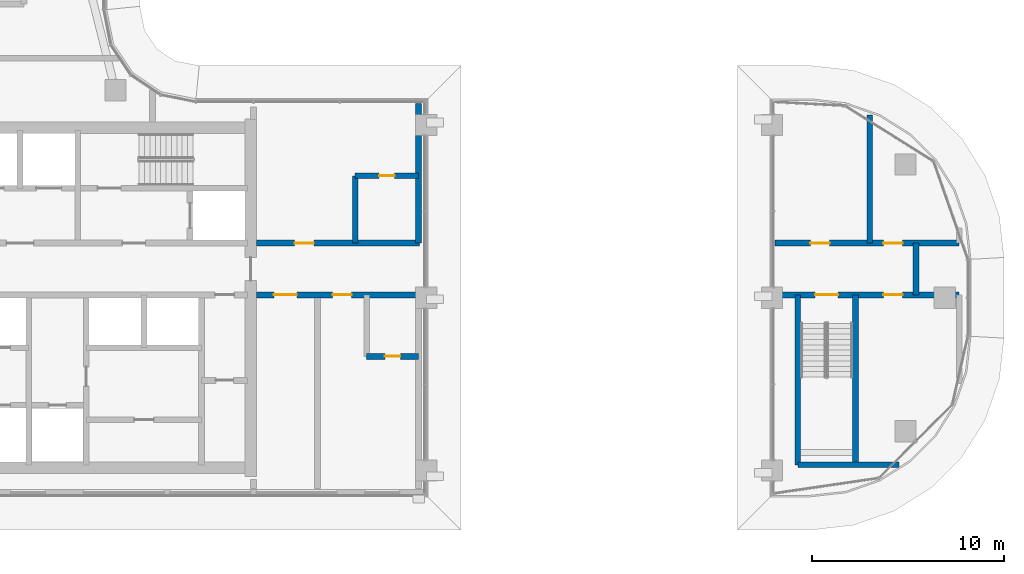
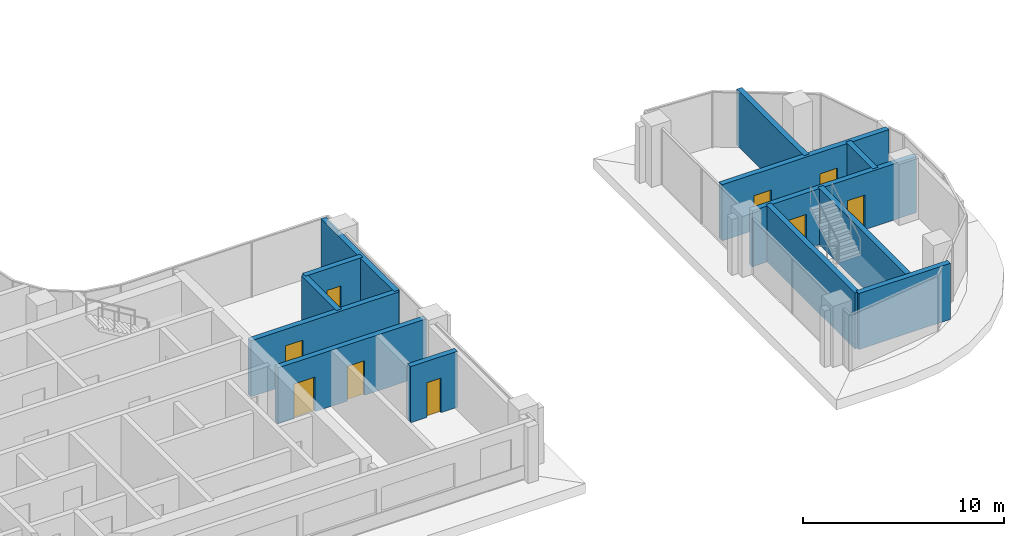
# One storey, part 13 of 27: 13 walls, 9 doors, 9 openings.
"""IFC4 building model written with IfcOpenShell, lengths in metres."""

from ifc_helpers import new_model, si_unit, direction, frame, frame_2d, origin, place, context, subcontext, project, spatial, rectangle, extrude, material, layer, layer_set, type_object, element, fill, save


model = new_model("IFC4")

# Units and contexts
model_context = context("Model", 3, precision=1e-05, world=origin(), true_north=direction((0.0, 1.0)))
body_context = subcontext(model_context, "Body", "Model", "MODEL_VIEW")
ifc_project = project(units=[si_unit("LENGTHUNIT", "METRE"), si_unit("AREAUNIT", "SQUARE_METRE"), si_unit("VOLUMEUNIT", "CUBIC_METRE"), si_unit("PLANEANGLEUNIT", "RADIAN"), si_unit("MASSUNIT", "GRAM", prefix="KILO")], contexts=[model_context])

# Site, building, storey
site_placement = place(None, origin())
site = spatial("IfcSite", under=ifc_project, at=site_placement, CompositionType="ELEMENT")
building_placement = place(site_placement, origin())
building = spatial("IfcBuilding", under=site, at=building_placement, Name="Ogive Portal Towers", CompositionType="ELEMENT")
storey_placement = place(building_placement, frame((0.0, 0.0, 160.699951171875)))
storey = spatial("IfcBuildingStorey", under=building, at=storey_placement, Name="L39", CompositionType="ELEMENT", Elevation=160.699951171875)

# Wall
ifc_material_1 = material(Name="Concrete C50/60", Category="concrete")
ifc_layer_1 = layer(ifc_material_1, 0.300048828125)
ifc_layer_set_1 = layer_set([ifc_layer_1], Name="STAIR WALL 300 C50")
wall_type_1 = type_object("IfcWallType", Name="STAIR WALL 300 C50", PredefinedType="SHEAR", material=ifc_layer_set_1)
wall_1_placement = place(storey_placement, frame((86.85009765625, 21.800048828125, 0.0), z_axis=(0.0, 0.0, 1.0), x_axis=(1.0, 0.0, 0.0)))
element("IfcWall", 1, at=wall_1_placement, inside=storey, type_object=wall_type_1, Name="Stair wall ST-A4 L39", PredefinedType="SHEAR", context=body_context, shape_type="SweptSolid", body=[
    extrude(rectangle(XDim=5.263916015625, YDim=0.300048828125, at=frame_2d((2.6318359375, 0.0))), origin(), (0.0, 0.0, 1.0), 3.400146484375),
])

# Wall, openings, doors
wall_2_placement = place(storey_placement, frame((85.85009765625, 30.64990234375, 0.0), z_axis=(0.0, 0.0, 1.0), x_axis=(1.0, 0.0, 0.0)))
wall_2 = element("IfcWall", 2, at=wall_2_placement, inside=storey, type_object=wall_type_1, Name="Stair wall ST-A4 L39", PredefinedType="SHEAR", context=body_context, shape_type="SweptSolid", body=[
    extrude(rectangle(XDim=9.39990234375, YDim=0.300048828125, at=frame_2d((4.699951171875, 0.0))), origin(), (0.0, 0.0, 1.0), 3.400146484375),
])
opening_1_placement = place(wall_2_placement, frame((1.89990234375, 0.0, 0.0)))
opening_1 = element("IfcOpeningElement", 3, at=opening_1_placement, cuts=wall_2, Name="Opening D16-048", PredefinedType="OPENING", context=body_context, shape_type="SweptSolid", body=[
    extrude(rectangle(XDim=1.199951171875, YDim=2.10009765625, at=frame_2d((0.60009765625, 1.050048828125))), frame((0.0, 0.16015625, 0.0), z_axis=(0.0, -1.0, 0.0), x_axis=(1.0, 0.0, 0.0)), (0.0, 0.0, 1.0), 0.320068359375),
])
opening_2_placement = place(wall_2_placement, frame((5.449951171875, 0.0, 0.0)))
opening_2 = element("IfcOpeningElement", 4, at=opening_2_placement, cuts=wall_2, Name="Opening D16-051", PredefinedType="OPENING", context=body_context, shape_type="SweptSolid", body=[
    extrude(rectangle(XDim=1.0, YDim=2.10009765625, at=frame_2d((0.5, 1.050048828125))), frame((0.0, 0.16015625, 0.0), z_axis=(0.0, -1.0, 0.0), x_axis=(1.0, 0.0, 0.0)), (0.0, 0.0, 1.0), 0.320068359375),
])
ifc_material_2 = material(Name="Steel fire door", Category="steel")
door_type_1 = type_object("IfcDoorType", Name="DT-SERVICE-1000x2100-FD90S", OperationType="SINGLE_SWING_LEFT", PredefinedType="DOOR", material=ifc_material_2)
door_1_placement = place(opening_2_placement, origin())
door_1 = element("IfcDoor", 5, at=door_1_placement, inside=storey, type_object=door_type_1, Name="Door D16-051", OperationType="SINGLE_SWING_LEFT", OverallHeight=2.10009765625, OverallWidth=1.0, PredefinedType="DOOR", context=body_context, shape_type="SweptSolid", body=[
    extrude(rectangle(XDim=1.0, YDim=2.10009765625, at=frame_2d((0.5, 1.050048828125))), frame((0.0, 0.02490234375, 0.0), z_axis=(0.0, -1.0, 0.0), x_axis=(1.0, 0.0, 0.0)), (0.0, 0.0, 1.0), 0.050048828125),
])
fill(opening_2, door_1)
door_type_2 = type_object("IfcDoorType", Name="DT-STAIR-1200x2100-FD90S", OperationType="SINGLE_SWING_LEFT", PredefinedType="DOOR", material=ifc_material_2)
door_2_placement = place(opening_1_placement, origin())
door_2 = element("IfcDoor", 6, at=door_2_placement, inside=storey, type_object=door_type_2, Name="Door D16-048", OperationType="SINGLE_SWING_LEFT", OverallHeight=2.10009765625, OverallWidth=1.199951171875, PredefinedType="DOOR", context=body_context, shape_type="SweptSolid", body=[
    extrude(rectangle(XDim=1.199951171875, YDim=2.10009765625, at=frame_2d((0.60009765625, 1.050048828125))), frame((0.0, 0.02490234375, 0.0), z_axis=(0.0, -1.0, 0.0), x_axis=(1.0, 0.0, 0.0)), (0.0, 0.0, 1.0), 0.050048828125),
])
fill(opening_1, door_2)

# Walls
for number, where, z_axis, x_axis, name in (
    (7, (86.85009765625, 21.800048828125, 0.0), (0.0, 0.0, 1.0), (0.0, 1.0, 0.0), "Stair wall ST-A4 L39"),
    (8, (89.85009765625, 21.800048828125, 0.0), (0.0, 0.0, 1.0), (0.0, 1.0, 0.0), "Stair wall ST-A4 L39"),
):
    element("IfcWall", number, at=place(storey_placement, frame(where, z_axis=z_axis, x_axis=x_axis)), inside=storey, type_object=wall_type_1, Name=name, PredefinedType="SHEAR", context=body_context, shape_type="SweptSolid", body=[
        extrude(rectangle(XDim=8.849853515625, YDim=0.300048828125, at=frame_2d((4.4248046875, 0.0))), origin(), (0.0, 0.0, 1.0), 3.400146484375),
    ])

# Wall, openings, doors
ifc_material_3 = material(Name="Gypsum board partition on steel studs", Category="steel")
ifc_layer_2 = layer(ifc_material_3, 0.300048828125)
ifc_layer_set_2 = layer_set([ifc_layer_2], Name="WT-PART-300-EI 120")
wall_type_2 = type_object("IfcWallType", Name="WT-PART-300-EI 120", PredefinedType="PARTITIONING", material=ifc_layer_set_2)
wall_3_placement = place(storey_placement, frame((58.64990234375, 30.64990234375, 0.0), z_axis=(0.0, 0.0, 1.0), x_axis=(1.0, 0.0, 0.0)))
wall_3 = element("IfcWall", 9, at=wall_3_placement, inside=storey, type_object=wall_type_2, Name="Wall L39:w003", PredefinedType="PARTITIONING", context=body_context, shape_type="SweptSolid", body=[
    extrude(rectangle(XDim=8.5, YDim=0.300048828125, at=frame_2d((4.25, 0.0))), origin(), (0.0, 0.0, 1.0), 3.400146484375),
])
opening_3_placement = place(wall_3_placement, frame((0.9189453125, 0.0, 0.0)))
opening_3 = element("IfcOpeningElement", 10, at=opening_3_placement, cuts=wall_3, Name="Opening D16-028", PredefinedType="OPENING", context=body_context, shape_type="SweptSolid", body=[
    extrude(rectangle(XDim=1.199951171875, YDim=2.10009765625, at=frame_2d((0.60009765625, 1.050048828125))), frame((0.0, 0.16015625, 0.0), z_axis=(0.0, -1.0, 0.0), x_axis=(1.0, 0.0, 0.0)), (0.0, 0.0, 1.0), 0.320068359375),
])
opening_4_placement = place(wall_3_placement, frame((3.968994140625, 0.0, 0.0)))
opening_4 = element("IfcOpeningElement", 11, at=opening_4_placement, cuts=wall_3, Name="Opening D16-030", PredefinedType="OPENING", context=body_context, shape_type="SweptSolid", body=[
    extrude(rectangle(XDim=1.0, YDim=2.10009765625, at=frame_2d((0.5, 1.050048828125))), frame((0.0, 0.16015625, 0.0), z_axis=(0.0, -1.0, 0.0), x_axis=(1.0, 0.0, 0.0)), (0.0, 0.0, 1.0), 0.320068359375),
])
door_type_3 = type_object("IfcDoorType", Name="DT-ENTRY-1000x2100-FD90S", OperationType="SINGLE_SWING_LEFT", PredefinedType="DOOR", material=ifc_material_2)
door_3_placement = place(opening_4_placement, origin())
door_3 = element("IfcDoor", 12, at=door_3_placement, inside=storey, type_object=door_type_3, Name="Door D16-030", OperationType="SINGLE_SWING_LEFT", OverallHeight=2.10009765625, OverallWidth=1.0, PredefinedType="DOOR", context=body_context, shape_type="SweptSolid", body=[
    extrude(rectangle(XDim=1.0, YDim=2.10009765625, at=frame_2d((0.5, 1.050048828125))), frame((0.0, 0.02490234375, 0.0), z_axis=(0.0, -1.0, 0.0), x_axis=(1.0, 0.0, 0.0)), (0.0, 0.0, 1.0), 0.050048828125),
])
fill(opening_4, door_3)
door_type_4 = type_object("IfcDoorType", Name="DT-ENTRY-1200x2100-FD90S", OperationType="SINGLE_SWING_LEFT", PredefinedType="DOOR", material=ifc_material_2)
door_4_placement = place(opening_3_placement, origin())
door_4 = element("IfcDoor", 13, at=door_4_placement, inside=storey, type_object=door_type_4, Name="Door D16-028", OperationType="SINGLE_SWING_RIGHT", OverallHeight=2.10009765625, OverallWidth=1.199951171875, PredefinedType="DOOR", context=body_context, shape_type="SweptSolid", body=[
    extrude(rectangle(XDim=1.199951171875, YDim=2.10009765625, at=frame_2d((0.60009765625, 1.050048828125))), frame((0.0, 0.02490234375, 0.0), z_axis=(0.0, -1.0, 0.0), x_axis=(1.0, 0.0, 0.0)), (0.0, 0.0, 1.0), 0.050048828125),
])
fill(opening_3, door_4)

# Wall, opening, door
wall_4_placement = place(storey_placement, frame((58.64990234375, 33.35009765625, 0.0), z_axis=(0.0, 0.0, 1.0), x_axis=(1.0, 0.0, 0.0)))
wall_4 = element("IfcWall", 14, at=wall_4_placement, inside=storey, type_object=wall_type_2, Name="Wall L39:w005", PredefinedType="PARTITIONING", context=body_context, shape_type="SweptSolid", body=[
    extrude(rectangle(XDim=8.5, YDim=0.300048828125, at=frame_2d((4.25, 0.0))), origin(), (0.0, 0.0, 1.0), 3.400146484375),
])
opening_5_placement = place(wall_4_placement, frame((2.0, 0.0, 0.0)))
opening_5 = element("IfcOpeningElement", 15, at=opening_5_placement, cuts=wall_4, Name="Opening D16-027", PredefinedType="OPENING", context=body_context, shape_type="SweptSolid", body=[
    extrude(rectangle(XDim=1.0, YDim=2.39990234375, at=frame_2d((0.5, 1.199951171875))), frame((0.0, 0.16015625, 0.0), z_axis=(0.0, -1.0, 0.0), x_axis=(1.0, 0.0, 0.0)), (0.0, 0.0, 1.0), 0.320068359375),
])
door_type_5 = type_object("IfcDoorType", Name="DT-ENTRY-1000x2400-FD90S", OperationType="SINGLE_SWING_LEFT", PredefinedType="DOOR", material=ifc_material_2)
door_5_placement = place(opening_5_placement, origin())
door_5 = element("IfcDoor", 16, at=door_5_placement, inside=storey, type_object=door_type_5, Name="Door D16-027", OperationType="SINGLE_SWING_LEFT", OverallHeight=2.39990234375, OverallWidth=1.0, PredefinedType="DOOR", context=body_context, shape_type="SweptSolid", body=[
    extrude(rectangle(XDim=1.0, YDim=2.39990234375, at=frame_2d((0.5, 1.199951171875))), frame((0.0, 0.02490234375, 0.0), z_axis=(0.0, -1.0, 0.0), x_axis=(1.0, 0.0, 0.0)), (0.0, 0.0, 1.0), 0.050048828125),
])
fill(opening_5, door_5)

# Wall, openings, doors
wall_5_placement = place(storey_placement, frame((85.669921875, 33.35009765625, 0.0), z_axis=(0.0, 0.0, 1.0), x_axis=(1.0, 0.0, 0.0)))
wall_5 = element("IfcWall", 17, at=wall_5_placement, inside=storey, type_object=wall_type_2, Name="Wall L39:w006", PredefinedType="PARTITIONING", context=body_context, shape_type="SweptSolid", body=[
    extrude(rectangle(XDim=9.580078125, YDim=0.300048828125, at=frame_2d((4.7900390625, 0.0))), origin(), (0.0, 0.0, 1.0), 3.400146484375),
])
opening_6_placement = place(wall_5_placement, frame((1.830078125, 0.0, 0.0)))
opening_6 = element("IfcOpeningElement", 18, at=opening_6_placement, cuts=wall_5, Name="Opening D16-049", PredefinedType="OPENING", context=body_context, shape_type="SweptSolid", body=[
    extrude(rectangle(XDim=1.0, YDim=2.10009765625, at=frame_2d((0.5, 1.050048828125))), frame((0.0, 0.16015625, 0.0), z_axis=(0.0, -1.0, 0.0), x_axis=(1.0, 0.0, 0.0)), (0.0, 0.0, 1.0), 0.320068359375),
])
opening_7_placement = place(wall_5_placement, frame((5.6298828125, 0.0, 0.0)))
opening_7 = element("IfcOpeningElement", 19, at=opening_7_placement, cuts=wall_5, Name="Opening D16-050", PredefinedType="OPENING", context=body_context, shape_type="SweptSolid", body=[
    extrude(rectangle(XDim=1.0, YDim=2.10009765625, at=frame_2d((0.5, 1.050048828125))), frame((0.0, 0.16015625, 0.0), z_axis=(0.0, -1.0, 0.0), x_axis=(1.0, 0.0, 0.0)), (0.0, 0.0, 1.0), 0.320068359375),
])
door_6_placement = place(opening_6_placement, origin())
door_6 = element("IfcDoor", 20, at=door_6_placement, inside=storey, type_object=door_type_1, Name="Door D16-049", OperationType="SINGLE_SWING_LEFT", OverallHeight=2.10009765625, OverallWidth=1.0, PredefinedType="DOOR", context=body_context, shape_type="SweptSolid", body=[
    extrude(rectangle(XDim=1.0, YDim=2.10009765625, at=frame_2d((0.5, 1.050048828125))), frame((0.0, 0.02490234375, 0.0), z_axis=(0.0, -1.0, 0.0), x_axis=(1.0, 0.0, 0.0)), (0.0, 0.0, 1.0), 0.050048828125),
])
fill(opening_6, door_6)
door_7_placement = place(opening_7_placement, origin())
door_7 = element("IfcDoor", 21, at=door_7_placement, inside=storey, type_object=door_type_1, Name="Riser access door D16-050", OperationType="SINGLE_SWING_RIGHT", OverallHeight=2.10009765625, OverallWidth=1.0, PredefinedType="DOOR", context=body_context, shape_type="SweptSolid", body=[
    extrude(rectangle(XDim=1.0, YDim=2.10009765625, at=frame_2d((0.5, 1.050048828125))), frame((0.0, 0.02490234375, 0.0), z_axis=(0.0, -1.0, 0.0), x_axis=(1.0, 0.0, 0.0)), (0.0, 0.0, 1.0), 0.050048828125),
])
fill(opening_7, door_7)

# Wall
wall_6_placement = place(storey_placement, frame((93.0, 30.64990234375, 0.0), z_axis=(0.0, 0.0, 1.0), x_axis=(0.0, 1.0, 0.0)))
element("IfcWall", 22, at=wall_6_placement, inside=storey, type_object=wall_type_2, Name="Wall L39:w047", PredefinedType="PARTITIONING", context=body_context, shape_type="SweptSolid", body=[
    extrude(rectangle(XDim=2.7001953125, YDim=0.300048828125, at=frame_2d((1.35009765625, 0.0))), origin(), (0.0, 0.0, 1.0), 3.400146484375),
])

# Wall, opening, door
ifc_layer_3 = layer(ifc_material_3, 0.300048828125)
ifc_layer_set_3 = layer_set([ifc_layer_3], Name="WT-PART-300-EI 60")
wall_type_3 = type_object("IfcWallType", Name="WT-PART-300-EI 60", PredefinedType="PARTITIONING", material=ifc_layer_set_3)
wall_7_placement = place(storey_placement, frame((64.39990234375, 27.449951171875, 0.0), z_axis=(0.0, 0.0, 1.0), x_axis=(1.0, 0.0, 0.0)))
wall_7 = element("IfcWall", 23, at=wall_7_placement, inside=storey, type_object=wall_type_3, Name="Wall L39:w002", PredefinedType="PARTITIONING", context=body_context, shape_type="SweptSolid", body=[
    extrude(rectangle(XDim=2.7001953125, YDim=0.300048828125, at=frame_2d((1.35009765625, 0.0))), origin(), (0.0, 0.0, 1.0), 3.400146484375),
])
opening_8_placement = place(wall_7_placement, frame((0.949951171875, 0.0, 0.0)))
opening_8 = element("IfcOpeningElement", 24, at=opening_8_placement, cuts=wall_7, Name="Opening D16-029", PredefinedType="OPENING", context=body_context, shape_type="SweptSolid", body=[
    extrude(rectangle(XDim=0.800048828125, YDim=2.10009765625, at=frame_2d((0.39990234375, 1.050048828125))), frame((0.0, 0.16015625, 0.0), z_axis=(0.0, -1.0, 0.0), x_axis=(1.0, 0.0, 0.0)), (0.0, 0.0, 1.0), 0.320068359375),
])
door_type_6 = type_object("IfcDoorType", Name="DT-BATH-800x2100-FD60S", OperationType="SINGLE_SWING_LEFT", PredefinedType="DOOR", material=ifc_material_2)
door_8_placement = place(opening_8_placement, origin())
door_8 = element("IfcDoor", 25, at=door_8_placement, inside=storey, type_object=door_type_6, Name="Door D16-029", OperationType="SINGLE_SWING_LEFT", OverallHeight=2.10009765625, OverallWidth=0.800048828125, PredefinedType="DOOR", context=body_context, shape_type="SweptSolid", body=[
    extrude(rectangle(XDim=0.800048828125, YDim=2.10009765625, at=frame_2d((0.39990234375, 1.050048828125))), frame((0.0, 0.02490234375, 0.0), z_axis=(0.0, -1.0, 0.0), x_axis=(1.0, 0.0, 0.0)), (0.0, 0.0, 1.0), 0.050048828125),
])
fill(opening_8, door_8)

wall_8_placement = place(storey_placement, frame((63.800048828125, 36.85009765625, 0.0), z_axis=(0.0, 0.0, 1.0), x_axis=(1.0, 0.0, 0.0)))
wall_8 = element("IfcWall", 26, at=wall_8_placement, inside=storey, type_object=wall_type_3, Name="Wall L39:w007", PredefinedType="PARTITIONING", context=body_context, shape_type="SweptSolid", body=[
    extrude(rectangle(XDim=3.300048828125, YDim=0.300048828125, at=frame_2d((1.64990234375, 0.0))), origin(), (0.0, 0.0, 1.0), 3.400146484375),
])
opening_9_placement = place(wall_8_placement, frame((1.25, 0.0, 0.0)))
opening_9 = element("IfcOpeningElement", 27, at=opening_9_placement, cuts=wall_8, Name="Opening D16-026", PredefinedType="OPENING", context=body_context, shape_type="SweptSolid", body=[
    extrude(rectangle(XDim=0.800048828125, YDim=2.10009765625, at=frame_2d((0.39990234375, 1.050048828125))), frame((0.0, 0.16015625, 0.0), z_axis=(0.0, -1.0, 0.0), x_axis=(1.0, 0.0, 0.0)), (0.0, 0.0, 1.0), 0.320068359375),
])
door_9_placement = place(opening_9_placement, origin())
door_9 = element("IfcDoor", 28, at=door_9_placement, inside=storey, type_object=door_type_6, Name="Door D16-026", OperationType="SINGLE_SWING_LEFT", OverallHeight=2.10009765625, OverallWidth=0.800048828125, PredefinedType="DOOR", context=body_context, shape_type="SweptSolid", body=[
    extrude(rectangle(XDim=0.800048828125, YDim=2.10009765625, at=frame_2d((0.39990234375, 1.050048828125))), frame((0.0, 0.02490234375, 0.0), z_axis=(0.0, -1.0, 0.0), x_axis=(1.0, 0.0, 0.0)), (0.0, 0.0, 1.0), 0.050048828125),
])
fill(opening_9, door_9)

# Walls
wall_9_placement = place(storey_placement, frame((63.800048828125, 33.35009765625, 0.0), z_axis=(0.0, 0.0, 1.0), x_axis=(0.0, 1.0, 0.0)))
element("IfcWall", 29, at=wall_9_placement, inside=storey, type_object=wall_type_3, Name="Wall L39:w040", PredefinedType="PARTITIONING", context=body_context, shape_type="SweptSolid", body=[
    extrude(rectangle(XDim=3.5, YDim=0.300048828125, at=frame_2d((1.75, 0.0))), origin(), (0.0, 0.0, 1.0), 3.400146484375),
])
wall_10_placement = place(storey_placement, frame((67.10009765625, 33.35009765625, 0.0), z_axis=(0.0, 0.0, 1.0), x_axis=(0.0, 1.0, 0.0)))
element("IfcWall", 30, at=wall_10_placement, inside=storey, type_object=wall_type_3, Name="Wall L39:w043", PredefinedType="PARTITIONING", context=body_context, shape_type="SweptSolid", body=[
    extrude(rectangle(XDim=7.264892578125, YDim=0.300048828125, at=frame_2d((3.63232421875, 0.0))), origin(), (0.0, 0.0, 1.0), 3.400146484375),
])
wall_11_placement = place(storey_placement, frame((90.60009765625, 33.35009765625, 0.0), z_axis=(0.0, 0.0, 1.0), x_axis=(0.0, 1.0, 0.0)))
element("IfcWall", 31, at=wall_11_placement, inside=storey, type_object=wall_type_3, Name="Wall L39:w046", PredefinedType="PARTITIONING", context=body_context, shape_type="SweptSolid", body=[
    extrude(rectangle(XDim=6.671875, YDim=0.300048828125, at=frame_2d((3.3359375, 0.0))), origin(), (0.0, 0.0, 1.0), 3.400146484375),
])

save(model, "model.ifc")
